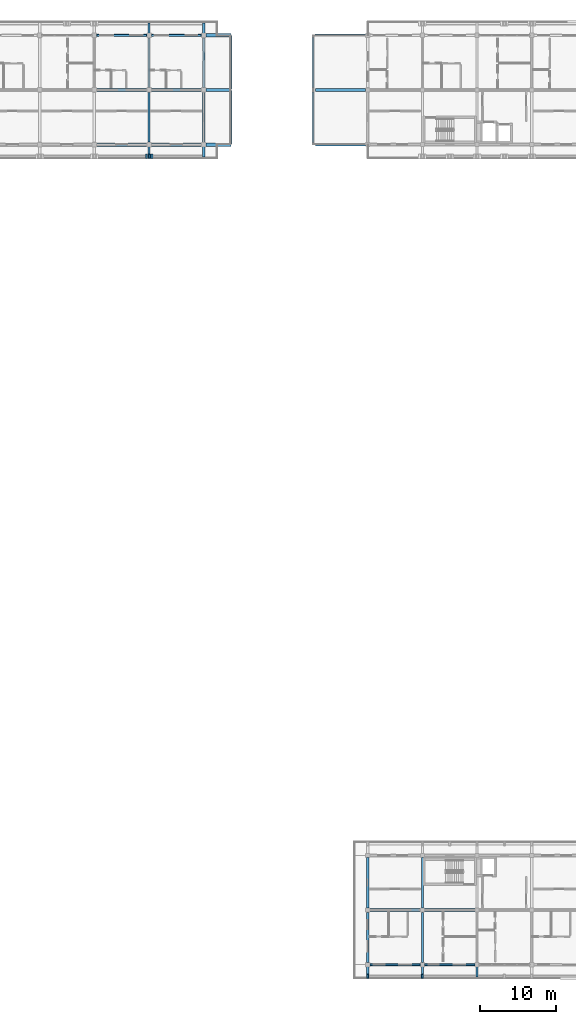
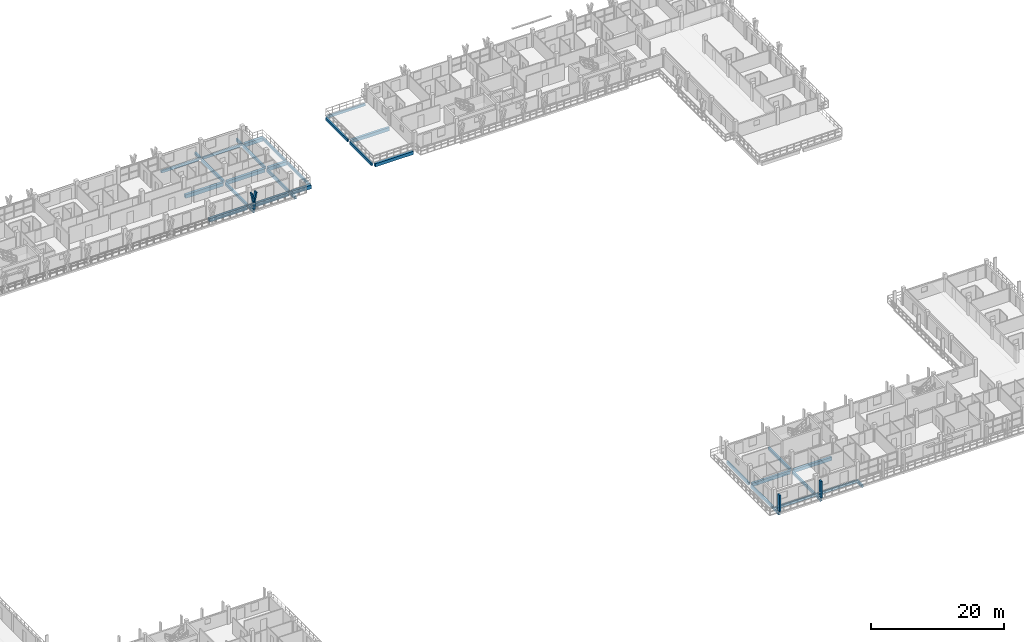
# One storey, part 18 of 73: 35 beams, 5 members.
"""IFC4 building model written with IfcOpenShell, lengths in metres."""

from ifc_helpers import new_model, si_unit, direction, frame, origin, origin_2d, place, context, subcontext, project, spatial, rectangle, extrude, material, material_profile, profile_set, type_object, element, save


model = new_model("IFC4")

# Units and contexts
model_context = context("Model", 3, precision=1e-05, world=origin(), true_north=direction((0.0, 1.0)))
body_context = subcontext(model_context, "Body", "Model", "MODEL_VIEW")
ifc_project = project(units=[si_unit("LENGTHUNIT", "METRE"), si_unit("AREAUNIT", "SQUARE_METRE"), si_unit("VOLUMEUNIT", "CUBIC_METRE"), si_unit("PLANEANGLEUNIT", "RADIAN"), si_unit("MASSUNIT", "GRAM", prefix="KILO")], contexts=[model_context])

# Site, building, storey
site_placement = place(None, origin())
site = spatial("IfcSite", under=ifc_project, at=site_placement, CompositionType="ELEMENT")
building_placement = place(site_placement, origin())
building = spatial("IfcBuilding", under=site, at=building_placement, Name="Suanplinth Sawtooth Commons", CompositionType="ELEMENT")
storey_placement = place(building_placement, frame((0.0, 0.0, 21.89990234375)))
storey = spatial("IfcBuildingStorey", under=building, at=storey_placement, Name="L06", CompositionType="ELEMENT", Elevation=21.89990234375)

# Beams
ifc_material_1 = material(Name="Precast concrete C40/50", Category="concrete")
ifc_material_profile_1 = material_profile(ifc_material_1, rectangle(XDim=0.449951171875, YDim=0.64990234375, at=origin_2d()), Name="PC-GDR 450x650")
ifc_profile_set_1 = profile_set([ifc_material_profile_1], Name="Precast concrete C40/50")
beam_type_1 = type_object("IfcBeamType", Name="B-04", PredefinedType="USERDEFINED", material=ifc_profile_set_1)
for number, where, z_axis, x_axis, name in (
    (1, (93.925048828125, 108.0, -0.56494140625), (1.0, 0.0, 0.0), (0.0, 1.0, 0.0), "BMX-L06-A-13-15"),
    (2, (93.925048828125, 115.199951171875, -0.56494140625), (1.0, 0.0, 0.0), (0.0, 1.0, 0.0), "BMX-L06-A-13-16"),
    (3, (101.125, 108.0, -0.56494140625), (1.0, 0.0, 0.0), (0.0, 1.0, 0.0), "BMX-L06-A-14-15"),
    (4, (101.125, 115.199951171875, -0.56494140625), (1.0, 0.0, 0.0), (0.0, 1.0, 0.0), "BMX-L06-A-14-16"),
):
    element("IfcBeam", number, at=place(storey_placement, frame(where, z_axis=z_axis, x_axis=x_axis)), inside=storey, type_object=beam_type_1, Name=name, ObjectType="GIRDER", PredefinedType="USERDEFINED", context=body_context, shape_type="SweptSolid", body=[
        extrude(rectangle(XDim=0.449951171875, YDim=0.64990234375, at=origin_2d()), origin(), (0.0, 0.0, 1.0), 6.550048828125),
    ])
for number, where, z_axis, x_axis, name in (
    (5, (108.324951171875, 108.0, -0.56494140625), (1.0, 0.0, 0.0), (0.0, 1.0, 0.0), "BMX-L06-A-ECANT-15"),
    (6, (108.324951171875, 115.199951171875, -0.56494140625), (1.0, 0.0, 0.0), (0.0, 1.0, 0.0), "BMX-L06-A-ECANT-16"),
    (7, (108.324951171875, 122.39990234375, -0.56494140625), (1.0, 0.0, 0.0), (0.0, 1.0, 0.0), "BMX-L06-A-ECANT-17"),
):
    element("IfcBeam", number, at=place(storey_placement, frame(where, z_axis=z_axis, x_axis=x_axis)), inside=storey, type_object=beam_type_1, Name=name, ObjectType="GIRDER", PredefinedType="USERDEFINED", context=body_context, shape_type="SweptSolid", body=[
        extrude(rectangle(XDim=0.449951171875, YDim=0.64990234375, at=origin_2d()), origin(), (0.0, 0.0, 1.0), 3.275146484375),
    ])
ifc_material_profile_2 = material_profile(ifc_material_1, rectangle(XDim=0.39990234375, YDim=0.60009765625, at=origin_2d()), Name="PC-GDR 400x600")
ifc_profile_set_2 = profile_set([ifc_material_profile_2], Name="Precast concrete C40/50")
beam_type_2 = type_object("IfcBeamType", Name="B-05", PredefinedType="USERDEFINED", material=ifc_profile_set_2)
for number, where, z_axis, x_axis, name in (
    (8, (122.699951171875, 108.0, -0.539794921875), (1.0, 0.0, 0.0), (0.0, 1.0, 0.0), "BMX-L06-B-17-15"),
    (9, (122.699951171875, 115.199951171875, -0.539794921875), (1.0, 0.0, 0.0), (0.0, 1.0, 0.0), "BMX-L06-B-17-16"),
    (10, (129.89990234375, 7.199951171875, -0.539794921875), (1.0, 0.0, 0.0), (0.0, 1.0, 0.0), "BMX-L06-C-18-1"),
):
    element("IfcBeam", number, at=place(storey_placement, frame(where, z_axis=z_axis, x_axis=x_axis)), inside=storey, type_object=beam_type_2, Name=name, ObjectType="GIRDER", PredefinedType="USERDEFINED", context=body_context, shape_type="SweptSolid", body=[
        extrude(rectangle(XDim=0.39990234375, YDim=0.60009765625, at=origin_2d()), origin(), (0.0, 0.0, 1.0), 6.60009765625),
    ])
beam_1_placement = place(storey_placement, frame((137.10009765625, 7.199951171875, -0.539794921875), z_axis=(1.0, 0.0, 0.0), x_axis=(0.0, 1.0, 0.0)))
element("IfcBeam", 11, at=beam_1_placement, inside=storey, type_object=beam_type_2, Name="BMX-L06-C-19-1", ObjectType="GIRDER", PredefinedType="USERDEFINED", context=body_context, shape_type="SweptSolid", body=[
    extrude(rectangle(XDim=0.39990234375, YDim=0.60009765625, at=origin_2d()), origin(), (0.0, 0.0, 1.0), 6.599853515625),
])
ifc_material_profile_3 = material_profile(ifc_material_1, rectangle(XDim=0.300048828125, YDim=0.5, at=origin_2d()), Name="PC-BM 300x500")
ifc_profile_set_3 = profile_set([ifc_material_profile_3], Name="Precast concrete C40/50")
beam_type_3 = type_object("IfcBeamType", Name="B-07", PredefinedType="BEAM", material=ifc_profile_set_3)
for number, where, z_axis, x_axis, name in (
    (12, (100.800048828125, 108.324951171875, -0.489990234375), (0.0, 1.0, 0.0), (-1.0, 0.0, 0.0), "BMY-L06-A-14-15"),
    (13, (100.800048828125, 115.52490234375, -0.489990234375), (0.0, 1.0, 0.0), (-1.0, 0.0, 0.0), "BMY-L06-A-14-16"),
    (14, (108.0, 108.324951171875, -0.489990234375), (0.0, 1.0, 0.0), (-1.0, 0.0, 0.0), "BMY-L06-A-15-15"),
    (15, (108.0, 115.52490234375, -0.489990234375), (0.0, 1.0, 0.0), (-1.0, 0.0, 0.0), "BMY-L06-A-15-16"),
):
    element("IfcBeam", number, at=place(storey_placement, frame(where, z_axis=z_axis, x_axis=x_axis)), inside=storey, type_object=beam_type_3, Name=name, PredefinedType="BEAM", context=body_context, shape_type="SweptSolid", body=[
        extrude(rectangle(XDim=0.300048828125, YDim=0.5, at=origin_2d()), origin(), (0.0, 0.0, 1.0), 6.550048828125),
    ])
beam_2_placement = place(storey_placement, frame((122.39990234375, 108.300048828125, -0.489990234375), z_axis=(0.0, 1.0, 0.0), x_axis=(-1.0, 0.0, 0.0)))
element("IfcBeam", 16, at=beam_2_placement, inside=storey, type_object=beam_type_3, Name="BMY-L06-B-17-15", PredefinedType="BEAM", context=body_context, shape_type="SweptSolid", body=[
    extrude(rectangle(XDim=0.300048828125, YDim=0.5, at=origin_2d()), origin(), (0.0, 0.0, 1.0), 6.599853515625),
])
beam_3_placement = place(storey_placement, frame((122.39990234375, 115.5, -0.489990234375), z_axis=(0.0, 1.0, 0.0), x_axis=(-1.0, 0.0, 0.0)))
element("IfcBeam", 17, at=beam_3_placement, inside=storey, type_object=beam_type_3, Name="BMY-L06-B-17-16", PredefinedType="BEAM", context=body_context, shape_type="SweptSolid", body=[
    extrude(rectangle(XDim=0.300048828125, YDim=0.5, at=origin_2d()), origin(), (0.0, 0.0, 1.0), 6.60009765625),
])
beam_4_placement = place(storey_placement, frame((129.60009765625, 0.300048828125, -0.489990234375), z_axis=(0.0, 1.0, 0.0), x_axis=(-1.0, 0.0, 0.0)))
element("IfcBeam", 18, at=beam_4_placement, inside=storey, type_object=beam_type_3, Name="BMY-L06-C-18-0", PredefinedType="BEAM", context=body_context, shape_type="SweptSolid", body=[
    extrude(rectangle(XDim=0.300048828125, YDim=0.5, at=origin_2d()), origin(), (0.0, 0.0, 1.0), 6.599853515625),
])
beam_5_placement = place(storey_placement, frame((129.60009765625, 7.5, -0.489990234375), z_axis=(0.0, 1.0, 0.0), x_axis=(-1.0, 0.0, 0.0)))
element("IfcBeam", 19, at=beam_5_placement, inside=storey, type_object=beam_type_3, Name="BMY-L06-C-18-1", PredefinedType="BEAM", context=body_context, shape_type="SweptSolid", body=[
    extrude(rectangle(XDim=0.300048828125, YDim=0.5, at=origin_2d()), origin(), (0.0, 0.0, 1.0), 6.60009765625),
])
beam_6_placement = place(storey_placement, frame((136.800048828125, 0.300048828125, -0.489990234375), z_axis=(0.0, 1.0, 0.0), x_axis=(-1.0, 0.0, 0.0)))
element("IfcBeam", 20, at=beam_6_placement, inside=storey, type_object=beam_type_3, Name="BMY-L06-C-19-0", PredefinedType="BEAM", context=body_context, shape_type="SweptSolid", body=[
    extrude(rectangle(XDim=0.300048828125, YDim=0.5, at=origin_2d()), origin(), (0.0, 0.0, 1.0), 6.599853515625),
])
beam_7_placement = place(storey_placement, frame((136.800048828125, 7.5, -0.489990234375), z_axis=(0.0, 1.0, 0.0), x_axis=(-1.0, 0.0, 0.0)))
element("IfcBeam", 21, at=beam_7_placement, inside=storey, type_object=beam_type_3, Name="BMY-L06-C-19-1", PredefinedType="BEAM", context=body_context, shape_type="SweptSolid", body=[
    extrude(rectangle(XDim=0.300048828125, YDim=0.5, at=origin_2d()), origin(), (0.0, 0.0, 1.0), 6.60009765625),
])
for number, where, z_axis, x_axis, name in (
    (22, (100.800048828125, 122.39990234375, -0.429931640625), (0.0, 1.0, 0.0), (-1.0, 0.0, 0.0), "Balcony Outrigger L06-A-N-14"),
    (23, (108.0, 122.39990234375, -0.429931640625), (0.0, 1.0, 0.0), (-1.0, 0.0, 0.0), "Balcony Outrigger L06-A-N-15"),
):
    element("IfcBeam", number, at=place(storey_placement, frame(where, z_axis=z_axis, x_axis=x_axis)), inside=storey, type_object=beam_type_3, Name=name, PredefinedType="BEAM", context=body_context, shape_type="SweptSolid", body=[
        extrude(rectangle(XDim=0.300048828125, YDim=0.5, at=origin_2d()), origin(), (0.0, 0.0, 1.0), 1.64013671875),
    ])
for number, where, z_axis, x_axis, name in (
    (24, (100.800048828125, 108.0, -0.429931640625), (0.0, -1.0, 0.0), (1.0, 0.0, 0.0), "Balcony Outrigger L06-A-S-14"),
    (25, (108.0, 108.0, -0.429931640625), (0.0, -1.0, 0.0), (1.0, 0.0, 0.0), "Balcony Outrigger L06-A-S-15"),
    (26, (129.60009765625, 0.0, -0.429931640625), (0.0, -1.0, 0.0), (1.0, 0.0, 0.0), "Balcony Outrigger L06-C-S-18"),
    (27, (136.800048828125, 0.0, -0.429931640625), (0.0, -1.0, 0.0), (1.0, 0.0, 0.0), "Balcony Outrigger L06-C-S-19"),
    (28, (144.0, 0.0, -0.429931640625), (0.0, -1.0, 0.0), (1.0, 0.0, 0.0), "Balcony Outrigger L06-C-S-20"),
):
    element("IfcBeam", number, at=place(storey_placement, frame(where, z_axis=z_axis, x_axis=x_axis)), inside=storey, type_object=beam_type_3, Name=name, PredefinedType="BEAM", context=body_context, shape_type="SweptSolid", body=[
        extrude(rectangle(XDim=0.300048828125, YDim=0.5, at=origin_2d()), origin(), (0.0, 0.0, 1.0), 1.639892578125),
    ])
ifc_material_profile_4 = material_profile(ifc_material_1, rectangle(XDim=0.25, YDim=0.449951171875, at=origin_2d()), Name="PC-SP 250x450")
ifc_profile_set_4 = profile_set([ifc_material_profile_4], Name="Precast concrete C40/50")
beam_type_4 = type_object("IfcBeamType", Name="B-09", PredefinedType="SPANDREL", material=ifc_profile_set_4)
for number, where, z_axis, x_axis, name in (
    (29, (93.925048828125, 122.39990234375, -0.46484375), (1.0, 0.0, 0.0), (0.0, 1.0, 0.0), "BMX-L06-A-13-17"),
    (30, (101.125, 122.39990234375, -0.46484375), (1.0, 0.0, 0.0), (0.0, 1.0, 0.0), "BMX-L06-A-14-17"),
):
    element("IfcBeam", number, at=place(storey_placement, frame(where, z_axis=z_axis, x_axis=x_axis)), inside=storey, type_object=beam_type_4, Name=name, PredefinedType="SPANDREL", context=body_context, shape_type="SweptSolid", body=[
        extrude(rectangle(XDim=0.25, YDim=0.449951171875, at=origin_2d()), origin(), (0.0, 0.0, 1.0), 6.550048828125),
    ])
beam_8_placement = place(storey_placement, frame((111.60009765625, 108.139892578125, -0.56494140625), z_axis=(0.0, 1.0, 0.0), x_axis=(-1.0, 0.0, 0.0)))
element("IfcBeam", 31, at=beam_8_placement, inside=storey, type_object=beam_type_4, Name="BMY-L06-A-STEP-1116-15", PredefinedType="SPANDREL", context=body_context, shape_type="SweptSolid", body=[
    extrude(rectangle(XDim=0.25, YDim=0.449951171875, at=origin_2d()), origin(), (0.0, 0.0, 1.0), 6.980224609375),
])
beam_9_placement = place(storey_placement, frame((111.60009765625, 115.340087890625, -0.56494140625), z_axis=(0.0, 1.0, 0.0), x_axis=(-1.0, 0.0, 0.0)))
element("IfcBeam", 32, at=beam_9_placement, inside=storey, type_object=beam_type_4, Name="BMY-L06-A-STEP-1116-16", PredefinedType="SPANDREL", context=body_context, shape_type="SweptSolid", body=[
    extrude(rectangle(XDim=0.25, YDim=0.449951171875, at=origin_2d()), origin(), (0.0, 0.0, 1.0), 6.97998046875),
])
for number, where, z_axis, x_axis, name in (
    (33, (122.699951171875, 122.39990234375, -0.46484375), (1.0, 0.0, 0.0), (0.0, 1.0, 0.0), "BMX-L06-B-17-17"),
    (34, (129.89990234375, 0.0, -0.46484375), (1.0, 0.0, 0.0), (0.0, 1.0, 0.0), "BMX-L06-C-18-0"),
):
    element("IfcBeam", number, at=place(storey_placement, frame(where, z_axis=z_axis, x_axis=x_axis)), inside=storey, type_object=beam_type_4, Name=name, PredefinedType="SPANDREL", context=body_context, shape_type="SweptSolid", body=[
        extrude(rectangle(XDim=0.25, YDim=0.449951171875, at=origin_2d()), origin(), (0.0, 0.0, 1.0), 6.60009765625),
    ])
beam_10_placement = place(storey_placement, frame((137.10009765625, 0.0, -0.46484375), z_axis=(1.0, 0.0, 0.0), x_axis=(0.0, 1.0, 0.0)))
element("IfcBeam", 35, at=beam_10_placement, inside=storey, type_object=beam_type_4, Name="BMX-L06-C-19-0", PredefinedType="SPANDREL", context=body_context, shape_type="SweptSolid", body=[
    extrude(rectangle(XDim=0.25, YDim=0.449951171875, at=origin_2d()), origin(), (0.0, 0.0, 1.0), 6.599853515625),
])

# Members
ifc_material_2 = material(Name="Pigmented precast concrete C40/50", Category="concrete")
ifc_material_profile_5 = material_profile(ifc_material_2, rectangle(XDim=0.260009765625, YDim=0.550048828125, at=origin_2d()), Name="PC-FIN 260x550")
ifc_profile_set_5 = profile_set([ifc_material_profile_5], Name="Pigmented precast concrete C40/50")
member_type_1 = type_object("IfcMemberType", Name="M-09", PredefinedType="USERDEFINED", material=ifc_profile_set_5)
member_1_placement = place(storey_placement, frame((100.800048828125, 106.47998046875, 0.0), z_axis=(0.0, 0.0, 1.0), x_axis=(1.0, 0.0, 0.0)))
element("IfcMember", 36, at=member_1_placement, inside=storey, type_object=member_type_1, Name="Y-Blade Stem L06-A-S-25", ObjectType="SHADING FIN", PredefinedType="USERDEFINED", context=body_context, shape_type="SweptSolid", body=[
    extrude(rectangle(XDim=0.260009765625, YDim=0.550048828125, at=origin_2d()), origin(), (0.0, 0.0, 1.0), 1.170166015625),
])
ifc_material_profile_6 = material_profile(ifc_material_2, rectangle(XDim=0.219970703125, YDim=0.550048828125, at=origin_2d()), Name="PC-FIN 220x550")
ifc_profile_set_6 = profile_set([ifc_material_profile_6], Name="Pigmented precast concrete C40/50")
member_type_2 = type_object("IfcMemberType", Name="M-10", PredefinedType="USERDEFINED", material=ifc_profile_set_6)
member_2_placement = place(storey_placement, frame((100.800048828125, 106.47998046875, 1.130126953125), z_axis=(-0.196431120402, 0.0, 0.980517626021), x_axis=(0.980517626021, 0.0, 0.196431120402)))
element("IfcMember", 37, at=member_2_placement, inside=storey, type_object=member_type_2, Name="Y-Blade Arm L L06-A-S-25", ObjectType="SHADING FIN", PredefinedType="USERDEFINED", context=body_context, shape_type="SweptSolid", body=[
    extrude(rectangle(XDim=0.219970703125, YDim=0.550048828125, at=origin_2d()), origin(), (0.0, 0.0, 1.0), 1.937744140625),
])
member_3_placement = place(storey_placement, frame((100.800048828125, 106.47998046875, 1.130126953125), z_axis=(0.196309979414, 0.0, 0.980541886909), x_axis=(-0.980541886909, 0.0, 0.196309979414)))
element("IfcMember", 38, at=member_3_placement, inside=storey, type_object=member_type_2, Name="Y-Blade Arm R L06-A-S-25", ObjectType="SHADING FIN", PredefinedType="USERDEFINED", context=body_context, shape_type="SweptSolid", body=[
    extrude(rectangle(XDim=0.219970703125, YDim=0.550048828125, at=origin_2d()), origin(), (0.0, 0.0, 1.0), 1.9375),
])
ifc_material_profile_7 = material_profile(ifc_material_2, rectangle(XDim=0.25, YDim=0.5400390625, at=origin_2d()), Name="PC-FIN 250x540")
ifc_profile_set_7 = profile_set([ifc_material_profile_7], Name="Pigmented precast concrete C40/50")
member_type_3 = type_object("IfcMemberType", Name="M-11", PredefinedType="USERDEFINED", material=ifc_profile_set_7)
for number, where, z_axis, x_axis, name in (
    (39, (129.60009765625, -1.52001953125, 0.0), (0.0, 0.0, 1.0), (1.0, 0.0, 0.0), "Upright Solar Blade L06-C-S-01"),
    (40, (136.800048828125, -1.52001953125, 0.0), (0.0, 0.0, 1.0), (1.0, 0.0, 0.0), "Upright Solar Blade L06-C-S-02"),
):
    element("IfcMember", number, at=place(storey_placement, frame(where, z_axis=z_axis, x_axis=x_axis)), inside=storey, type_object=member_type_3, Name=name, ObjectType="SHADING FIN", PredefinedType="USERDEFINED", context=body_context, shape_type="SweptSolid", body=[
        extrude(rectangle(XDim=0.25, YDim=0.5400390625, at=origin_2d()), origin(), (0.0, 0.0, 1.0), 3.030029296875),
    ])

save(model, "model.ifc")
